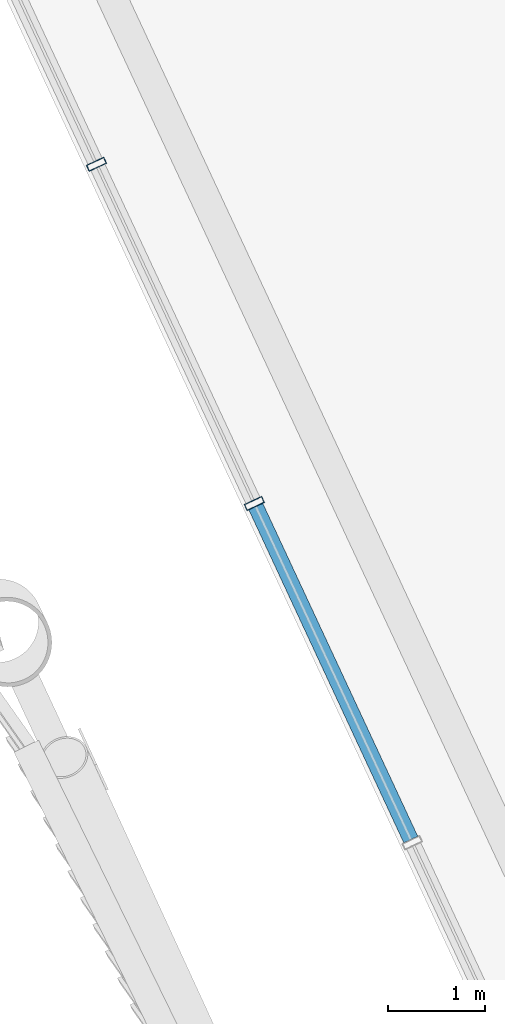
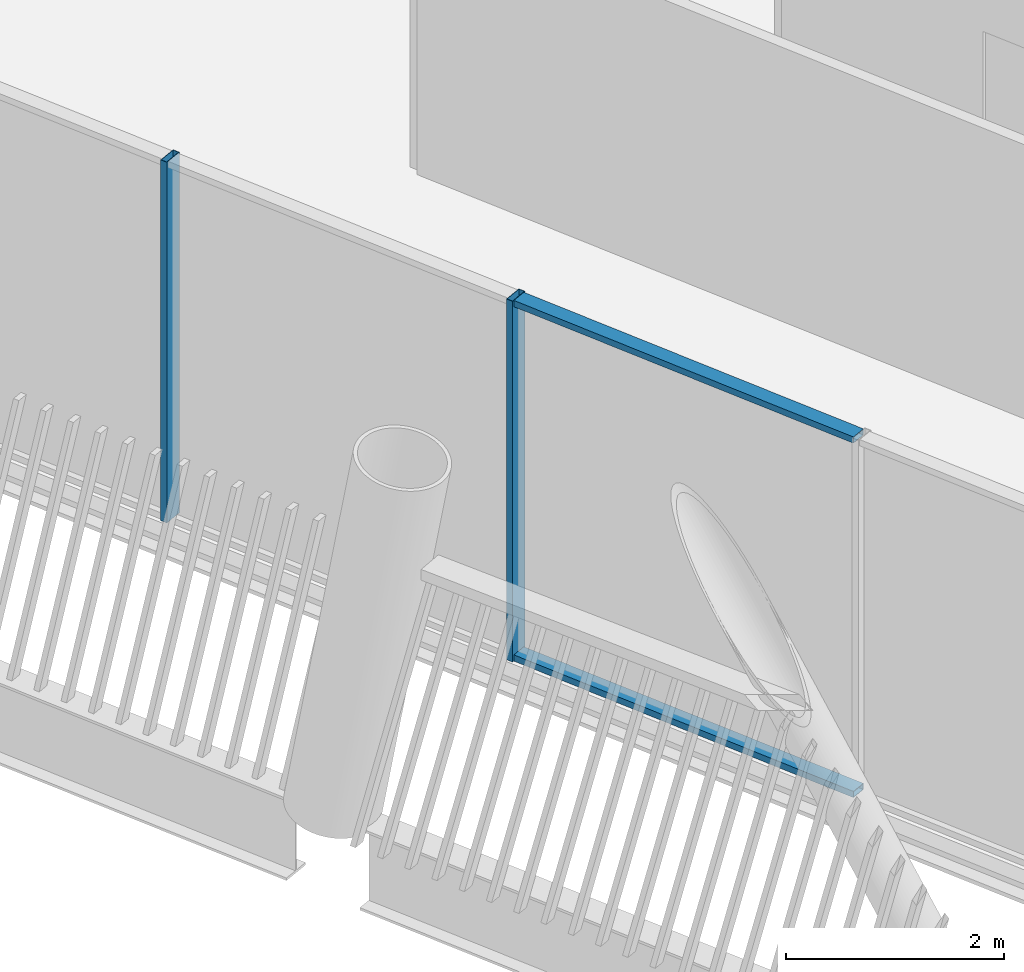
# One storey, part 4 of 36: 4 members, 1 element without a shape of its own.
"""IFC4 building model written with IfcOpenShell, lengths in metres."""

from ifc_helpers import new_model, si_unit, direction, frame, origin, origin_2d, place, context, subcontext, project, spatial, hollow_rectangle, extrude, material, layer, layer_set, material_profile, profile_set, type_object, element, aggregate, save


model = new_model("IFC4")

# Units and contexts
model_context = context("Model", 3, precision=1e-05, world=origin(), true_north=direction((0.0, 1.0)))
body_context = subcontext(model_context, "Body", "Model", "MODEL_VIEW")
ifc_project = project(units=[si_unit("LENGTHUNIT", "METRE"), si_unit("AREAUNIT", "SQUARE_METRE"), si_unit("VOLUMEUNIT", "CUBIC_METRE"), si_unit("PLANEANGLEUNIT", "RADIAN"), si_unit("MASSUNIT", "GRAM", prefix="KILO")], contexts=[model_context])

# Site, building, storey
site_placement = place(None, origin())
site = spatial("IfcSite", under=ifc_project, at=site_placement, CompositionType="ELEMENT")
building_placement = place(site_placement, origin())
building = spatial("IfcBuilding", under=site, at=building_placement, Name="Tarsis Ring Headquarters", CompositionType="ELEMENT")
storey_placement = place(building_placement, frame((0.0, 0.0, 386.0)))
storey = spatial("IfcBuildingStorey", under=building, at=storey_placement, Name="L91", CompositionType="ELEMENT", Elevation=386.0)

# Curtain wall, members
ifc_material_1 = material(Name="Aluminium curtain wall", Category="aluminium")
ifc_layer = layer(ifc_material_1, 0.199951171875)
ifc_layer_set = layer_set([ifc_layer], Name="Curtain wall executive tip")
curtain_wall_type = type_object("IfcCurtainWallType", Name="Curtain wall executive tip", PredefinedType="NOTDEFINED", material=ifc_layer_set)
curtain_wall_placement = place(storey_placement, origin())
curtain_wall = element("IfcCurtainWall", 1, at=curtain_wall_placement, inside=storey, type_object=curtain_wall_type, Name="Curtain wall L91-36", PredefinedType="NOTDEFINED")
ifc_material_2 = material(Name="Aluminium mullion", Category="aluminium")
ifc_material_profile_1 = material_profile(ifc_material_2, hollow_rectangle(XDim=0.199951171875, YDim=0.070068359375, WallThickness=0.0048828125, at=origin_2d()), Name="RHS 200x70x5")
ifc_profile_set_1 = profile_set([ifc_material_profile_1], Name="Aluminium mullion")
member_type_1 = type_object("IfcMemberType", Name="Curtain wall mullion executive tip RHS 200x70x5", PredefinedType="MULLION", material=ifc_profile_set_1)
member_1_placement = place(storey_placement, frame((-37.785888671875, -13.3134765625, 0.0), z_axis=(0.0, 0.0, 1.0), x_axis=(0.906602610845, 0.421985433409, 0.0)))
member_1 = element("IfcMember", 2, at=member_1_placement, type_object=member_type_1, Name="CW-E mullion 2", PredefinedType="MULLION", context=body_context, shape_type="SweptSolid", body=[
    extrude(hollow_rectangle(XDim=0.199951171875, YDim=0.070068359375, WallThickness=0.0048828125, at=origin_2d()), origin(), (0.0, 0.0, 1.0), 4.0400390625),
])
member_2_placement = place(storey_placement, frame((-36.15087890625, -16.82666015625, 0.0), z_axis=(0.0, 0.0, 1.0), x_axis=(0.906602610845, 0.421985433409, 0.0)))
member_2 = element("IfcMember", 3, at=member_2_placement, type_object=member_type_1, Name="CW-E mullion 3", PredefinedType="MULLION", context=body_context, shape_type="SweptSolid", body=[
    extrude(hollow_rectangle(XDim=0.199951171875, YDim=0.070068359375, WallThickness=0.0048828125, at=origin_2d()), origin(), (0.0, 0.0, 1.0), 4.0400390625),
])
ifc_material_3 = material(Name="Aluminium transom", Category="aluminium")
ifc_material_profile_2 = material_profile(ifc_material_3, hollow_rectangle(XDim=0.159912109375, YDim=0.070068359375, WallThickness=0.0048828125, at=origin_2d()), Name="RHS 160x70x5")
ifc_profile_set_2 = profile_set([ifc_material_profile_2], Name="Aluminium transom")
member_type_2 = type_object("IfcMemberType", Name="Curtain wall transom executive tip RHS 160x70x5", PredefinedType="USERDEFINED", material=ifc_profile_set_2)
member_3_placement = place(storey_placement, frame((-36.135986328125, -16.8583984375, 0.034912109375), z_axis=(0.421989574882, -0.906600683151, 0.0), x_axis=(0.906600683151, 0.421989574882, 0.0)))
member_3 = element("IfcMember", 4, at=member_3_placement, type_object=member_type_2, Name="CW-E transom 3.1", ObjectType="TRANSOM", PredefinedType="USERDEFINED", context=body_context, shape_type="SweptSolid", body=[
    extrude(hollow_rectangle(XDim=0.159912109375, YDim=0.070068359375, WallThickness=0.0048828125, at=origin_2d()), origin(), (0.0, 0.0, 1.0), 3.80517578125),
])
member_4_placement = place(storey_placement, frame((-36.135986328125, -16.8583984375, 4.0048828125), z_axis=(0.421989574882, -0.906600683151, 0.0), x_axis=(0.906600683151, 0.421989574882, 0.0)))
member_4 = element("IfcMember", 5, at=member_4_placement, type_object=member_type_2, Name="CW-E transom 3.2", ObjectType="TRANSOM", PredefinedType="USERDEFINED", context=body_context, shape_type="SweptSolid", body=[
    extrude(hollow_rectangle(XDim=0.159912109375, YDim=0.070068359375, WallThickness=0.0048828125, at=origin_2d()), origin(), (0.0, 0.0, 1.0), 3.80517578125),
])
aggregate(curtain_wall, [member_1, member_2, member_3, member_4])

save(model, "model.ifc")
